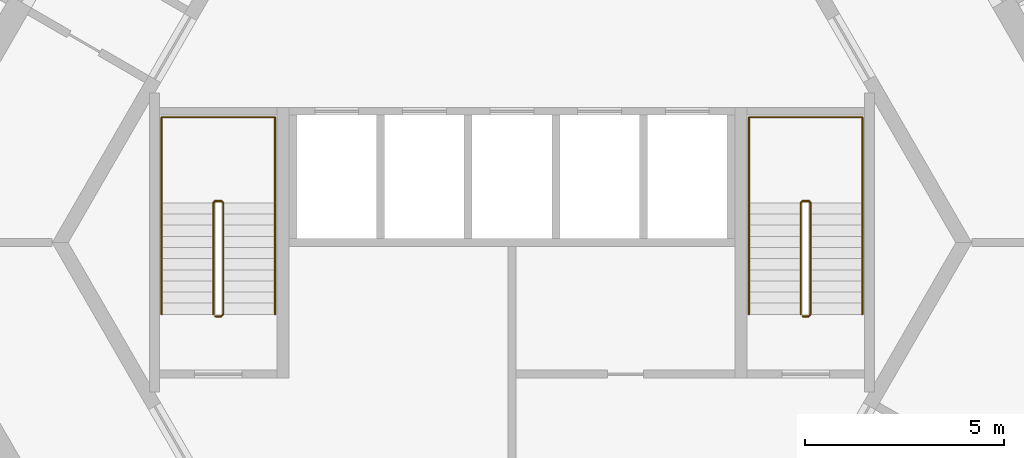
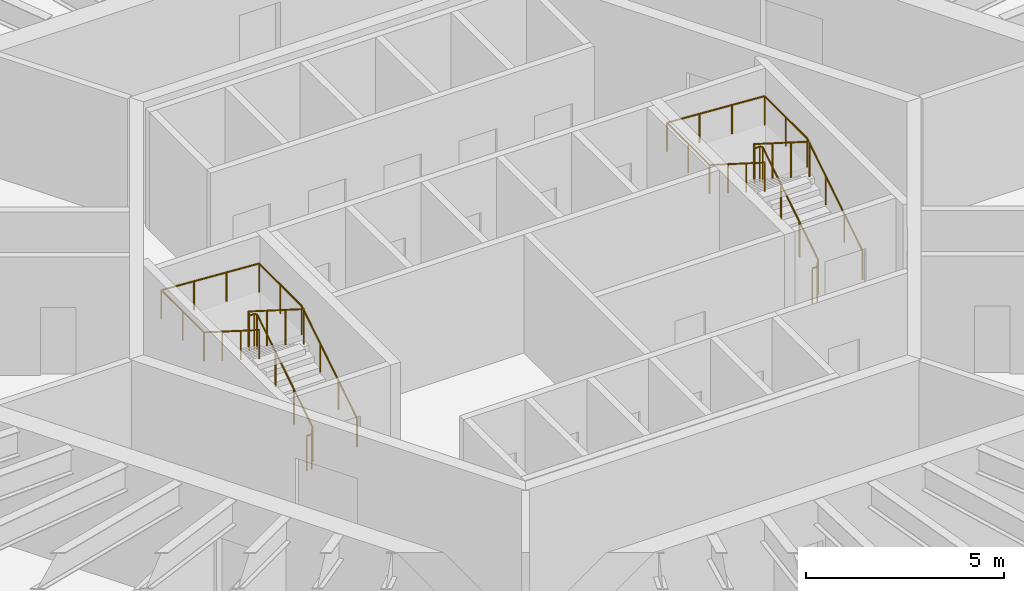
# One storey, part 12 of 12: 4 railings.
"""IFC4 building model written with IfcOpenShell, lengths in metres."""

from ifc_helpers import new_model, si_unit, direction, frame, origin, origin_2d, place, context, subcontext, project, spatial, circle, extrude, material, type_object, element, save


model = new_model("IFC4")

# Units and contexts
model_context = context("Model", 3, precision=1e-05, world=origin(), true_north=direction((0.0, 1.0)))
body_context = subcontext(model_context, "Body", "Model", "MODEL_VIEW")
ifc_project = project(units=[si_unit("LENGTHUNIT", "METRE"), si_unit("AREAUNIT", "SQUARE_METRE"), si_unit("VOLUMEUNIT", "CUBIC_METRE"), si_unit("PLANEANGLEUNIT", "RADIAN"), si_unit("MASSUNIT", "GRAM", prefix="KILO")], contexts=[model_context])

# Site, building, storey
site_placement = place(None, origin())
site = spatial("IfcSite", under=ifc_project, at=site_placement, CompositionType="ELEMENT")
building_placement = place(site_placement, origin())
building = spatial("IfcBuilding", under=site, at=building_placement, Name="Tarnside Tower", CompositionType="ELEMENT")
storey_placement = place(building_placement, frame((0.0, 0.0, 72.60009765625)))
storey = spatial("IfcBuildingStorey", under=building, at=storey_placement, Name="L15", CompositionType="ELEMENT", Elevation=72.60009765625)

# Railings
ifc_material = material(Name="Stainless steel", Category="steel")
railing_type_1 = type_object("IfcRailingType", Name="Stair guard 1100", PredefinedType="GUARDRAIL", material=ifc_material)
railing_1_placement = place(storey_placement, frame((7.300048828125, -1.85009765625, 0.0)))
element("IfcRailing", 1, at=railing_1_placement, inside=storey, type_object=railing_type_1, Name="L15 ST1 stair guard 1", PredefinedType="GUARDRAIL", context=body_context, shape_type="SweptSolid", body=[
    extrude(circle(Radius=0.02392578125, at=origin_2d()), frame((0.0, 0.0, 1.076171875), z_axis=(1.0, 0.0, 0.0), x_axis=(0.0, 1.0, 0.0)), (0.0, 0.0, 1.0), 0.14990234375),
    extrude(circle(Radius=0.02392578125, at=origin_2d()), frame((0.14990234375, 0.0, 1.076171875), z_axis=(0.262233686654, 0.262233686654, 0.928691007369), x_axis=(-0.707106781187, 0.707106781187, 0.0)), (0.0, 0.0, 1.0), 0.19091796875),
    extrude(circle(Radius=0.02392578125, at=origin_2d()), frame((0.199951171875, 0.050048828125, 1.25341796875), z_axis=(0.0, 0.844908973607, 0.534910110503), x_axis=(-1.0, 0.0, 0.0)), (0.0, 0.0, 1.0), 3.31396484375),
    extrude(circle(Radius=0.02392578125, at=origin_2d()), frame((0.199951171875, 2.85009765625, 3.02587890625), z_axis=(-0.707106781187, 0.707106781187, 0.0), x_axis=(-0.707106781187, -0.707106781187, 0.0)), (0.0, 0.0, 1.0), 0.07080078125),
    extrude(circle(Radius=0.02392578125, at=origin_2d()), frame((0.14990234375, 2.900146484375, 3.02587890625), z_axis=(-1.0, 0.0, 0.0), x_axis=(0.0, -1.0, 0.0)), (0.0, 0.0, 1.0), 0.14990234375),
    extrude(circle(Radius=0.02392578125, at=origin_2d()), frame((0.0, 2.900146484375, 3.02587890625), z_axis=(-0.262233686654, -0.262233686654, 0.928691007369), x_axis=(0.707106781187, -0.707106781187, 0.0)), (0.0, 0.0, 1.0), 0.19091796875),
    extrude(circle(Radius=0.02392578125, at=origin_2d()), frame((-0.050048828125, 2.85009765625, 3.203125), z_axis=(0.0, -0.844908973607, 0.534910110503), x_axis=(1.0, 0.0, 0.0)), (0.0, 0.0, 1.0), 3.31396484375),
    extrude(circle(Radius=0.02099609375, at=origin_2d()), origin(), (0.0, 0.0, 1.0), 1.052001953125),
    extrude(circle(Radius=0.02099609375, at=origin_2d()), frame((0.14990234375, 0.0, 0.0)), (0.0, 0.0, 1.0), 1.052001953125),
    extrude(circle(Radius=0.02099609375, at=origin_2d()), frame((0.199951171875, 0.050048828125, 0.17724609375)), (0.0, 0.0, 1.0), 1.052001953125),
    extrude(circle(Radius=0.02099609375, at=origin_2d()), frame((0.199951171875, 0.9833984375, 0.76806640625)), (0.0, 0.0, 1.0), 1.052001953125),
    extrude(circle(Radius=0.02099609375, at=origin_2d()), frame((0.199951171875, 1.916748046875, 1.359130859375)), (0.0, 0.0, 1.0), 1.052001953125),
    extrude(circle(Radius=0.02099609375, at=origin_2d()), frame((0.199951171875, 2.85009765625, 1.949951171875)), (0.0, 0.0, 1.0), 1.052001953125),
    extrude(circle(Radius=0.02099609375, at=origin_2d()), frame((0.14990234375, 2.900146484375, 1.949951171875)), (0.0, 0.0, 1.0), 1.052001953125),
    extrude(circle(Radius=0.02099609375, at=origin_2d()), frame((0.0, 2.900146484375, 1.949951171875)), (0.0, 0.0, 1.0), 1.052001953125),
    extrude(circle(Radius=0.02099609375, at=origin_2d()), frame((-0.050048828125, 2.85009765625, 2.127197265625)), (0.0, 0.0, 1.0), 1.052001953125),
    extrude(circle(Radius=0.02099609375, at=origin_2d()), frame((-0.050048828125, 1.916748046875, 2.718017578125)), (0.0, 0.0, 1.0), 1.052001953125),
    extrude(circle(Radius=0.02099609375, at=origin_2d()), frame((-0.050048828125, 0.9833984375, 3.30908203125)), (0.0, 0.0, 1.0), 1.052001953125),
    extrude(circle(Radius=0.02099609375, at=origin_2d()), frame((-0.050048828125, 0.050048828125, 3.89990234375)), (0.0, 0.0, 1.0), 1.052001953125),
])
railing_2_placement = place(storey_placement, frame((-7.449951171875, -1.85009765625, 0.0)))
element("IfcRailing", 2, at=railing_2_placement, inside=storey, type_object=railing_type_1, Name="L15 ST2 stair guard 1", PredefinedType="GUARDRAIL", context=body_context, shape_type="SweptSolid", body=[
    extrude(circle(Radius=0.02392578125, at=origin_2d()), frame((0.0, 0.0, 1.076171875), z_axis=(1.0, 0.0, 0.0), x_axis=(0.0, 1.0, 0.0)), (0.0, 0.0, 1.0), 0.14990234375),
    extrude(circle(Radius=0.02392578125, at=origin_2d()), frame((0.14990234375, 0.0, 1.076171875), z_axis=(0.262233686654, 0.262233686654, 0.928691007369), x_axis=(-0.707106781187, 0.707106781187, 0.0)), (0.0, 0.0, 1.0), 0.19091796875),
    extrude(circle(Radius=0.02392578125, at=origin_2d()), frame((0.199951171875, 0.050048828125, 1.25341796875), z_axis=(0.0, 0.844908973607, 0.534910110503), x_axis=(-1.0, 0.0, 0.0)), (0.0, 0.0, 1.0), 3.31396484375),
    extrude(circle(Radius=0.02392578125, at=origin_2d()), frame((0.199951171875, 2.85009765625, 3.02587890625), z_axis=(-0.707106781187, 0.707106781187, 0.0), x_axis=(-0.707106781187, -0.707106781187, 0.0)), (0.0, 0.0, 1.0), 0.07080078125),
    extrude(circle(Radius=0.02392578125, at=origin_2d()), frame((0.14990234375, 2.900146484375, 3.02587890625), z_axis=(-1.0, 0.0, 0.0), x_axis=(0.0, -1.0, 0.0)), (0.0, 0.0, 1.0), 0.14990234375),
    extrude(circle(Radius=0.02392578125, at=origin_2d()), frame((0.0, 2.900146484375, 3.02587890625), z_axis=(-0.262233686654, -0.262233686654, 0.928691007369), x_axis=(0.707106781187, -0.707106781187, 0.0)), (0.0, 0.0, 1.0), 0.19091796875),
    extrude(circle(Radius=0.02392578125, at=origin_2d()), frame((-0.050048828125, 2.85009765625, 3.203125), z_axis=(0.0, -0.844908973607, 0.534910110503), x_axis=(1.0, 0.0, 0.0)), (0.0, 0.0, 1.0), 3.31396484375),
    extrude(circle(Radius=0.02099609375, at=origin_2d()), origin(), (0.0, 0.0, 1.0), 1.052001953125),
    extrude(circle(Radius=0.02099609375, at=origin_2d()), frame((0.14990234375, 0.0, 0.0)), (0.0, 0.0, 1.0), 1.052001953125),
    extrude(circle(Radius=0.02099609375, at=origin_2d()), frame((0.199951171875, 0.050048828125, 0.17724609375)), (0.0, 0.0, 1.0), 1.052001953125),
    extrude(circle(Radius=0.02099609375, at=origin_2d()), frame((0.199951171875, 0.9833984375, 0.76806640625)), (0.0, 0.0, 1.0), 1.052001953125),
    extrude(circle(Radius=0.02099609375, at=origin_2d()), frame((0.199951171875, 1.916748046875, 1.359130859375)), (0.0, 0.0, 1.0), 1.052001953125),
    extrude(circle(Radius=0.02099609375, at=origin_2d()), frame((0.199951171875, 2.85009765625, 1.949951171875)), (0.0, 0.0, 1.0), 1.052001953125),
    extrude(circle(Radius=0.02099609375, at=origin_2d()), frame((0.14990234375, 2.900146484375, 1.949951171875)), (0.0, 0.0, 1.0), 1.052001953125),
    extrude(circle(Radius=0.02099609375, at=origin_2d()), frame((0.0, 2.900146484375, 1.949951171875)), (0.0, 0.0, 1.0), 1.052001953125),
    extrude(circle(Radius=0.02099609375, at=origin_2d()), frame((-0.050048828125, 2.85009765625, 2.127197265625)), (0.0, 0.0, 1.0), 1.052001953125),
    extrude(circle(Radius=0.02099609375, at=origin_2d()), frame((-0.050048828125, 1.916748046875, 2.718017578125)), (0.0, 0.0, 1.0), 1.052001953125),
    extrude(circle(Radius=0.02099609375, at=origin_2d()), frame((-0.050048828125, 0.9833984375, 3.30908203125)), (0.0, 0.0, 1.0), 1.052001953125),
    extrude(circle(Radius=0.02099609375, at=origin_2d()), frame((-0.050048828125, 0.050048828125, 3.89990234375)), (0.0, 0.0, 1.0), 1.052001953125),
])
railing_type_2 = type_object("IfcRailingType", Name="Stair handrail 900", PredefinedType="HANDRAIL", material=ifc_material)
railing_3_placement = place(storey_placement, frame((8.800048828125, -1.800048828125, 0.17724609375)))
element("IfcRailing", 3, at=railing_3_placement, inside=storey, type_object=railing_type_2, Name="L15 ST1 stair handrail 1", PredefinedType="HANDRAIL", context=body_context, shape_type="SweptSolid", body=[
    extrude(circle(Radius=0.02392578125, at=origin_2d()), frame((0.0, 0.0, 0.8857421875), z_axis=(0.0, 0.844908973607, 0.534910110503), x_axis=(-1.0, 0.0, 0.0)), (0.0, 0.0, 1.0), 3.31396484375),
    extrude(circle(Radius=0.02392578125, at=origin_2d()), frame((0.0, 2.800048828125, 2.65869140625), z_axis=(0.0, 1.0, 0.0), x_axis=(-1.0, 0.0, 0.0)), (0.0, 0.0, 1.0), 2.14990234375),
    extrude(circle(Radius=0.02392578125, at=origin_2d()), frame((0.0, 4.949951171875, 2.65869140625), z_axis=(-0.998071825391, 0.0, 0.06206956872), x_axis=(0.0, -1.0, 0.0)), (0.0, 0.0, 1.0), 2.855712890625),
    extrude(circle(Radius=0.02392578125, at=origin_2d()), frame((-2.85009765625, 4.949951171875, 2.8359375), z_axis=(0.0, -1.0, 0.0), x_axis=(1.0, 0.0, 0.0)), (0.0, 0.0, 1.0), 2.14990234375),
    extrude(circle(Radius=0.02392578125, at=origin_2d()), frame((-2.85009765625, 2.800048828125, 2.8359375), z_axis=(0.0, -0.844908973607, 0.534910110503), x_axis=(1.0, 0.0, 0.0)), (0.0, 0.0, 1.0), 3.31396484375),
    extrude(circle(Radius=0.02099609375, at=origin_2d()), origin(), (0.0, 0.0, 1.0), 0.86181640625),
    extrude(circle(Radius=0.02099609375, at=origin_2d()), frame((0.0, 0.933349609375, 0.5908203125)), (0.0, 0.0, 1.0), 0.86181640625),
    extrude(circle(Radius=0.02099609375, at=origin_2d()), frame((0.0, 1.86669921875, 1.181884765625)), (0.0, 0.0, 1.0), 0.86181640625),
    extrude(circle(Radius=0.02099609375, at=origin_2d()), frame((0.0, 2.800048828125, 1.772705078125)), (0.0, 0.0, 1.0), 0.86181640625),
    extrude(circle(Radius=0.02099609375, at=origin_2d()), frame((0.0, 3.875, 1.772705078125)), (0.0, 0.0, 1.0), 0.86181640625),
    extrude(circle(Radius=0.02099609375, at=origin_2d()), frame((0.0, 4.949951171875, 1.772705078125)), (0.0, 0.0, 1.0), 0.86181640625),
    extrude(circle(Radius=0.02099609375, at=origin_2d()), frame((-0.949951171875, 4.949951171875, 1.831787109375)), (0.0, 0.0, 1.0), 0.86181640625),
    extrude(circle(Radius=0.02099609375, at=origin_2d()), frame((-1.900146484375, 4.949951171875, 1.890869140625)), (0.0, 0.0, 1.0), 0.86181640625),
    extrude(circle(Radius=0.02099609375, at=origin_2d()), frame((-2.85009765625, 4.949951171875, 1.949951171875)), (0.0, 0.0, 1.0), 0.86181640625),
    extrude(circle(Radius=0.02099609375, at=origin_2d()), frame((-2.85009765625, 3.875, 1.949951171875)), (0.0, 0.0, 1.0), 0.86181640625),
    extrude(circle(Radius=0.02099609375, at=origin_2d()), frame((-2.85009765625, 2.800048828125, 1.949951171875)), (0.0, 0.0, 1.0), 0.86181640625),
    extrude(circle(Radius=0.02099609375, at=origin_2d()), frame((-2.85009765625, 1.86669921875, 2.540771484375)), (0.0, 0.0, 1.0), 0.86181640625),
    extrude(circle(Radius=0.02099609375, at=origin_2d()), frame((-2.85009765625, 0.933349609375, 3.1318359375)), (0.0, 0.0, 1.0), 0.86181640625),
    extrude(circle(Radius=0.02099609375, at=origin_2d()), frame((-2.85009765625, 0.0, 3.72265625)), (0.0, 0.0, 1.0), 0.86181640625),
])
railing_4_placement = place(storey_placement, frame((-5.949951171875, -1.800048828125, 0.17724609375)))
element("IfcRailing", 4, at=railing_4_placement, inside=storey, type_object=railing_type_2, Name="L15 ST2 stair handrail 1", PredefinedType="HANDRAIL", context=body_context, shape_type="SweptSolid", body=[
    extrude(circle(Radius=0.02392578125, at=origin_2d()), frame((0.0, 0.0, 0.8857421875), z_axis=(0.0, 0.844908973607, 0.534910110503), x_axis=(-1.0, 0.0, 0.0)), (0.0, 0.0, 1.0), 3.31396484375),
    extrude(circle(Radius=0.02392578125, at=origin_2d()), frame((0.0, 2.800048828125, 2.65869140625), z_axis=(0.0, 1.0, 0.0), x_axis=(-1.0, 0.0, 0.0)), (0.0, 0.0, 1.0), 2.14990234375),
    extrude(circle(Radius=0.02392578125, at=origin_2d()), frame((0.0, 4.949951171875, 2.65869140625), z_axis=(-0.998071825391, 0.0, 0.06206956872), x_axis=(0.0, -1.0, 0.0)), (0.0, 0.0, 1.0), 2.855712890625),
    extrude(circle(Radius=0.02392578125, at=origin_2d()), frame((-2.85009765625, 4.949951171875, 2.8359375), z_axis=(0.0, -1.0, 0.0), x_axis=(1.0, 0.0, 0.0)), (0.0, 0.0, 1.0), 2.14990234375),
    extrude(circle(Radius=0.02392578125, at=origin_2d()), frame((-2.85009765625, 2.800048828125, 2.8359375), z_axis=(0.0, -0.844908973607, 0.534910110503), x_axis=(1.0, 0.0, 0.0)), (0.0, 0.0, 1.0), 3.31396484375),
    extrude(circle(Radius=0.02099609375, at=origin_2d()), origin(), (0.0, 0.0, 1.0), 0.86181640625),
    extrude(circle(Radius=0.02099609375, at=origin_2d()), frame((0.0, 0.933349609375, 0.5908203125)), (0.0, 0.0, 1.0), 0.86181640625),
    extrude(circle(Radius=0.02099609375, at=origin_2d()), frame((0.0, 1.86669921875, 1.181884765625)), (0.0, 0.0, 1.0), 0.86181640625),
    extrude(circle(Radius=0.02099609375, at=origin_2d()), frame((0.0, 2.800048828125, 1.772705078125)), (0.0, 0.0, 1.0), 0.86181640625),
    extrude(circle(Radius=0.02099609375, at=origin_2d()), frame((0.0, 3.875, 1.772705078125)), (0.0, 0.0, 1.0), 0.86181640625),
    extrude(circle(Radius=0.02099609375, at=origin_2d()), frame((0.0, 4.949951171875, 1.772705078125)), (0.0, 0.0, 1.0), 0.86181640625),
    extrude(circle(Radius=0.02099609375, at=origin_2d()), frame((-0.949951171875, 4.949951171875, 1.831787109375)), (0.0, 0.0, 1.0), 0.86181640625),
    extrude(circle(Radius=0.02099609375, at=origin_2d()), frame((-1.900146484375, 4.949951171875, 1.890869140625)), (0.0, 0.0, 1.0), 0.86181640625),
    extrude(circle(Radius=0.02099609375, at=origin_2d()), frame((-2.85009765625, 4.949951171875, 1.949951171875)), (0.0, 0.0, 1.0), 0.86181640625),
    extrude(circle(Radius=0.02099609375, at=origin_2d()), frame((-2.85009765625, 3.875, 1.949951171875)), (0.0, 0.0, 1.0), 0.86181640625),
    extrude(circle(Radius=0.02099609375, at=origin_2d()), frame((-2.85009765625, 2.800048828125, 1.949951171875)), (0.0, 0.0, 1.0), 0.86181640625),
    extrude(circle(Radius=0.02099609375, at=origin_2d()), frame((-2.85009765625, 1.86669921875, 2.540771484375)), (0.0, 0.0, 1.0), 0.86181640625),
    extrude(circle(Radius=0.02099609375, at=origin_2d()), frame((-2.85009765625, 0.933349609375, 3.1318359375)), (0.0, 0.0, 1.0), 0.86181640625),
    extrude(circle(Radius=0.02099609375, at=origin_2d()), frame((-2.85009765625, 0.0, 3.72265625)), (0.0, 0.0, 1.0), 0.86181640625),
])

save(model, "model.ifc")
